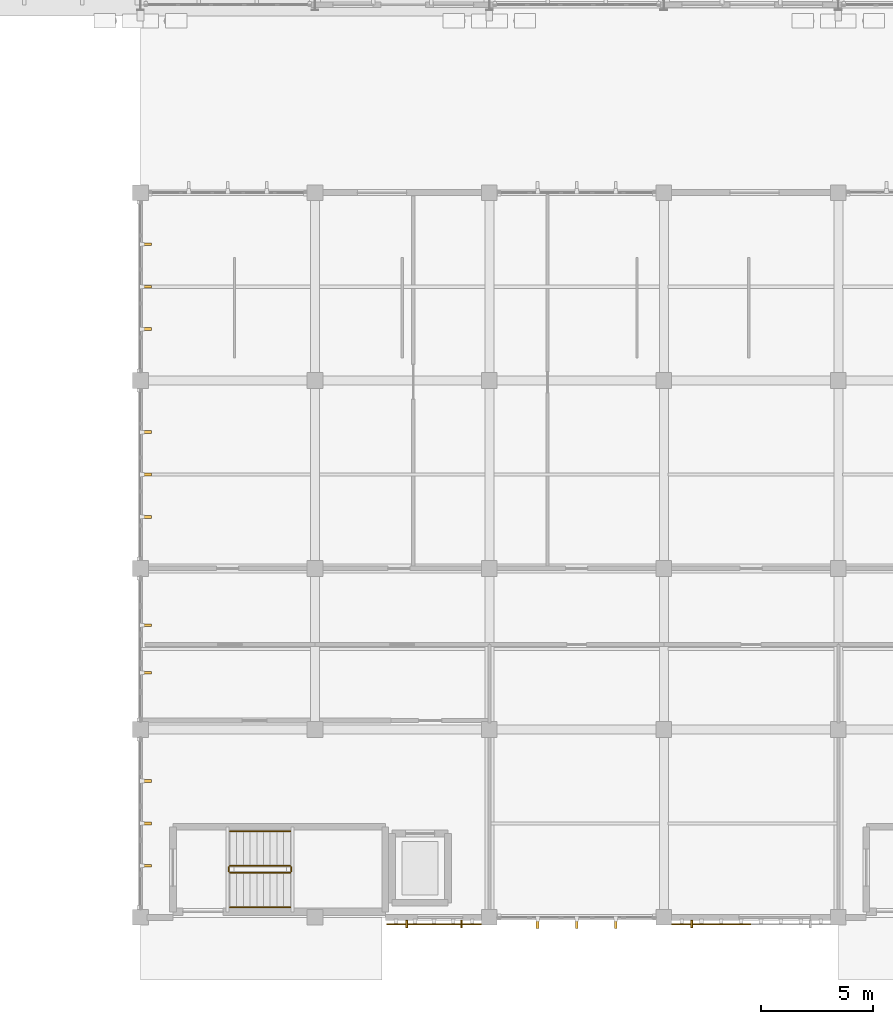
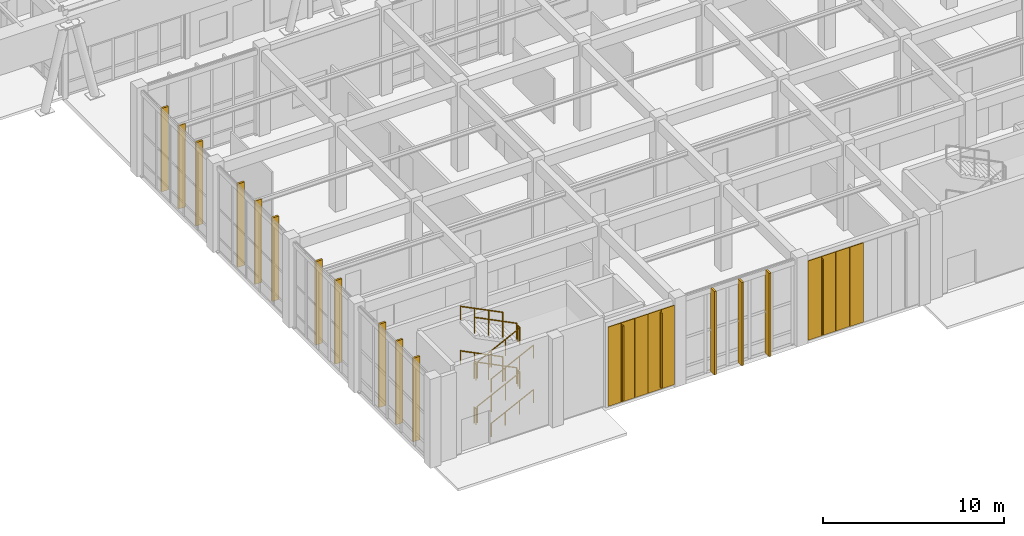
# One storey, part 94 of 110: 23 coverings, 12 railings, 3 shading devices.
"""IFC4 building model written with IfcOpenShell, lengths in metres."""

from ifc_helpers import new_model, si_unit, direction, frame, origin, origin_2d, place, context, subcontext, project, spatial, rectangle, circle, extrude, material, layer, layer_set, type_object, element, save


model = new_model("IFC4")

# Units and contexts
model_context = context("Model", 3, precision=1e-05, world=origin(), true_north=direction((0.0, 1.0)))
body_context = subcontext(model_context, "Body", "Model", "MODEL_VIEW")
ifc_project = project(units=[si_unit("LENGTHUNIT", "METRE"), si_unit("AREAUNIT", "SQUARE_METRE"), si_unit("VOLUMEUNIT", "CUBIC_METRE"), si_unit("PLANEANGLEUNIT", "RADIAN"), si_unit("MASSUNIT", "GRAM", prefix="KILO")], contexts=[model_context])

# Site, building, storey
site_placement = place(None, origin())
site = spatial("IfcSite", under=ifc_project, at=site_placement, CompositionType="ELEMENT")
building_placement = place(site_placement, origin())
building = spatial("IfcBuilding", under=site, at=building_placement, Name="Tizgana Railside Sports Hall", CompositionType="ELEMENT")
storey_placement = place(building_placement, origin())
storey = spatial("IfcBuildingStorey", under=building, at=storey_placement, Name="L00", CompositionType="ELEMENT", Elevation=0.0)

# Shading devices
ifc_material_1 = material(Name="Glulam GL28h", Category="wood")
shading_device_type = type_object("IfcShadingDeviceType", Name="Glulam Vertical Brise-Soleil Fin 320", PredefinedType="JALOUSIE", material=ifc_material_1)
for number, where, z_axis, x_axis, name in (
    (1, (22.14990234375, -0.2939453125, 0.35009765625), (0.0, 0.0, 1.0), (-1.0, 0.0, 0.0), "L00 Glulam Fin FIN-0017"),
    (2, (19.699951171875, -0.2939453125, 0.35009765625), (0.0, 0.0, 1.0), (-1.0, 0.0, 0.0), "L00 Glulam Fin FIN-0018"),
    (3, (32.449951171875, -0.2939453125, 0.35009765625), (0.0, 0.0, 1.0), (-1.0, 0.0, 0.0), "L00 Glulam Fin FIN-0020"),
):
    element("IfcShadingDevice", number, at=place(storey_placement, frame(where, z_axis=z_axis, x_axis=x_axis)), inside=storey, type_object=shading_device_type, Name=name, PredefinedType="JALOUSIE", context=body_context, shape_type="SweptSolid", body=[
        extrude(rectangle(XDim=0.080078125, YDim=0.320068359375, at=origin_2d()), origin(), (0.0, 0.0, 1.0), 5.050048828125),
    ])

# Coverings
ifc_layer_1 = layer(ifc_material_1, 0.139892578125, Name="Glulam GL28h")
ifc_layer_set_1 = layer_set([ifc_layer_1], Name="Glulam GL28h")
covering_type_1 = type_object("IfcCoveringType", Name="Mass-Timber Brise-Soleil & Pergola Fin", PredefinedType="CLADDING", material=ifc_layer_set_1)
for number, where, z_axis, x_axis, name in (
    (4, (29.047607421875, -0.280029296875, 0.0849609375), (0.0, 0.0, 1.0), (-1.0, 0.0, 0.0), "L00 Timber Brise-Soleil Fin"),
    (5, (27.300048828125, -0.280029296875, 0.0849609375), (0.0, 0.0, 1.0), (-1.0, 0.0, 0.0), "L00 Timber Brise-Soleil Fin"),
    (6, (25.552490234375, -0.280029296875, 0.0849609375), (0.0, 0.0, 1.0), (-1.0, 0.0, 0.0), "L00 Timber Brise-Soleil Fin"),
    (7, (8.080078125, 6.097412109375, 0.0849609375), (0.0, 0.0, 1.0), (0.0, -1.0, 0.0), "L00 Timber Brise-Soleil Fin"),
    (8, (8.080078125, 4.199951171875, 0.0849609375), (0.0, 0.0, 1.0), (0.0, -1.0, 0.0), "L00 Timber Brise-Soleil Fin"),
    (9, (8.080078125, 2.302490234375, 0.0849609375), (0.0, 0.0, 1.0), (0.0, -1.0, 0.0), "L00 Timber Brise-Soleil Fin"),
    (10, (8.080078125, 13.06494140625, 0.0849609375), (0.0, 0.0, 1.0), (0.0, -1.0, 0.0), "L00 Timber Brise-Soleil Fin"),
    (11, (8.080078125, 10.93505859375, 0.0849609375), (0.0, 0.0, 1.0), (0.0, -1.0, 0.0), "L00 Timber Brise-Soleil Fin"),
    (12, (8.080078125, 21.697509765625, 0.0849609375), (0.0, 0.0, 1.0), (0.0, -1.0, 0.0), "L00 Timber Brise-Soleil Fin"),
    (13, (8.080078125, 19.800048828125, 0.0849609375), (0.0, 0.0, 1.0), (0.0, -1.0, 0.0), "L00 Timber Brise-Soleil Fin"),
    (14, (8.080078125, 17.902587890625, 0.0849609375), (0.0, 0.0, 1.0), (0.0, -1.0, 0.0), "L00 Timber Brise-Soleil Fin"),
    (15, (8.080078125, 30.097412109375, 0.0849609375), (0.0, 0.0, 1.0), (0.0, -1.0, 0.0), "L00 Timber Brise-Soleil Fin"),
    (16, (8.080078125, 28.199951171875, 0.0849609375), (0.0, 0.0, 1.0), (0.0, -1.0, 0.0), "L00 Timber Brise-Soleil Fin"),
    (17, (8.080078125, 26.302490234375, 0.0849609375), (0.0, 0.0, 1.0), (0.0, -1.0, 0.0), "L00 Timber Brise-Soleil Fin"),
):
    element("IfcCovering", number, at=place(storey_placement, frame(where, z_axis=z_axis, x_axis=x_axis)), inside=storey, type_object=covering_type_1, Name=name, PredefinedType="CLADDING", context=body_context, shape_type="SweptSolid", body=[
        extrude(rectangle(XDim=0.1201171875, YDim=0.43994140625, at=origin_2d()), origin(), (0.0, 0.0, 1.0), 5.625),
    ])
ifc_material_2 = material(Name="Anodised perforated aluminium screen", Category="aluminium")
ifc_layer_2 = layer(ifc_material_2, 0.044921875, Name="Anodised perforated aluminium screen")
ifc_layer_set_2 = layer_set([ifc_layer_2], Name="Anodised perforated aluminium screen")
covering_type_2 = type_object("IfcCoveringType", Name="Perforated Aluminium Hall Screen 900", PredefinedType="CLADDING", material=ifc_layer_set_2)
for number, where, z_axis, x_axis, name in (
    (18, (22.625, -0.31494140625, 0.199951171875), (0.0, 0.0, 1.0), (-1.0, 0.0, 0.0), "L00 Perforated Screen SCR-0493"),
    (19, (21.77490234375, -0.31494140625, 0.199951171875), (0.0, 0.0, 1.0), (-1.0, 0.0, 0.0), "L00 Perforated Screen SCR-0494"),
    (20, (20.925048828125, -0.31494140625, 0.199951171875), (0.0, 0.0, 1.0), (-1.0, 0.0, 0.0), "L00 Perforated Screen SCR-0495"),
    (21, (20.074951171875, -0.31494140625, 0.199951171875), (0.0, 0.0, 1.0), (-1.0, 0.0, 0.0), "L00 Perforated Screen SCR-0496"),
    (22, (19.22509765625, -0.31494140625, 0.199951171875), (0.0, 0.0, 1.0), (-1.0, 0.0, 0.0), "L00 Perforated Screen SCR-0497"),
):
    element("IfcCovering", number, at=place(storey_placement, frame(where, z_axis=z_axis, x_axis=x_axis)), inside=storey, type_object=covering_type_2, Name=name, PredefinedType="CLADDING", context=body_context, shape_type="SweptSolid", body=[
        extrude(rectangle(XDim=0.83203125, YDim=0.044921875, at=origin_2d()), origin(), (0.0, 0.0, 1.0), 5.35009765625),
    ])
for number, where, z_axis, x_axis, name in (
    (23, (34.65625, -0.31494140625, 0.199951171875), (0.0, 0.0, 1.0), (-1.0, 0.0, 0.0), "L00 Perforated Screen SCR-0502"),
    (24, (33.768798828125, -0.31494140625, 0.199951171875), (0.0, 0.0, 1.0), (-1.0, 0.0, 0.0), "L00 Perforated Screen SCR-0503"),
    (25, (32.88134765625, -0.31494140625, 0.199951171875), (0.0, 0.0, 1.0), (-1.0, 0.0, 0.0), "L00 Perforated Screen SCR-0504"),
    (26, (31.99365234375, -0.31494140625, 0.199951171875), (0.0, 0.0, 1.0), (-1.0, 0.0, 0.0), "L00 Perforated Screen SCR-0505"),
):
    element("IfcCovering", number, at=place(storey_placement, frame(where, z_axis=z_axis, x_axis=x_axis)), inside=storey, type_object=covering_type_2, Name=name, PredefinedType="CLADDING", context=body_context, shape_type="SweptSolid", body=[
        extrude(rectangle(XDim=0.869384765625, YDim=0.044921875, at=origin_2d()), origin(), (0.0, 0.0, 1.0), 5.35009765625),
    ])

# Railings
ifc_material_3 = material(Name="Galvanised steel sheet", Category="steel")
railing_type_1 = type_object("IfcRailingType", Name="Safety Balustrade Guard 1100", PredefinedType="BALUSTRADE", material=ifc_material_3)
railing_1_placement = place(storey_placement, frame((11.800048828125, 2.0, 0.14990234375)))
element("IfcRailing", 27, at=railing_1_placement, inside=storey, type_object=railing_type_1, Name="L00 ST-01 stair guard 1", PredefinedType="BALUSTRADE", context=body_context, shape_type="SweptSolid", body=[
    extrude(circle(Radius=0.02392578125, at=origin_2d()), frame((0.0, 0.0, 1.076171875), z_axis=(0.894411015155, 0.0, 0.447245945728), x_axis=(0.0, 1.0, 0.0)), (0.0, 0.0, 1.0), 3.018798828125),
    extrude(circle(Radius=0.02099609375, at=origin_2d()), origin(), (0.0, 0.0, 1.0), 1.052001953125),
    extrude(circle(Radius=0.02099609375, at=origin_2d()), frame((0.89990234375, 0.0, 0.449951171875)), (0.0, 0.0, 1.0), 1.052001953125),
    extrude(circle(Radius=0.02099609375, at=origin_2d()), frame((1.800048828125, 0.0, 0.900146484375)), (0.0, 0.0, 1.0), 1.052001953125),
    extrude(circle(Radius=0.02099609375, at=origin_2d()), frame((2.699951171875, 0.0, 1.35009765625)), (0.0, 0.0, 1.0), 1.052001953125),
])
railing_2_placement = place(storey_placement, frame((14.550048828125, 2.050048828125, 1.5)))
element("IfcRailing", 28, at=railing_2_placement, inside=storey, type_object=railing_type_1, Name="L00 ST-01 stair guard 2", PredefinedType="BALUSTRADE", context=body_context, shape_type="SweptSolid", body=[
    extrude(circle(Radius=0.02392578125, at=origin_2d()), frame((0.0, 0.0, 1.076171875), z_axis=(0.0, 1.0, 0.0), x_axis=(-1.0, 0.0, 0.0)), (0.0, 0.0, 1.0), 0.199951171875),
    extrude(circle(Radius=0.02099609375, at=origin_2d()), origin(), (0.0, 0.0, 1.0), 1.052001953125),
    extrude(circle(Radius=0.02099609375, at=origin_2d()), frame((0.0, 0.199951171875, 0.0)), (0.0, 0.0, 1.0), 1.052001953125),
])
railing_3_placement = place(storey_placement, frame((14.5, 2.300048828125, 1.64990234375)))
element("IfcRailing", 29, at=railing_3_placement, inside=storey, type_object=railing_type_1, Name="L00 ST-01 stair guard 3", PredefinedType="BALUSTRADE", context=body_context, shape_type="SweptSolid", body=[
    extrude(circle(Radius=0.02392578125, at=origin_2d()), frame((0.0, 0.0, 1.076171875), z_axis=(-0.894411015155, 0.0, 0.447245945728), x_axis=(0.0, -1.0, 0.0)), (0.0, 0.0, 1.0), 3.018798828125),
    extrude(circle(Radius=0.02099609375, at=origin_2d()), origin(), (0.0, 0.0, 1.0), 1.052001953125),
    extrude(circle(Radius=0.02099609375, at=origin_2d()), frame((-0.89990234375, 0.0, 0.449951171875)), (0.0, 0.0, 1.0), 1.052001953125),
    extrude(circle(Radius=0.02099609375, at=origin_2d()), frame((-1.800048828125, 0.0, 0.900146484375)), (0.0, 0.0, 1.0), 1.052001953125),
    extrude(circle(Radius=0.02099609375, at=origin_2d()), frame((-2.699951171875, 0.0, 1.35009765625)), (0.0, 0.0, 1.0), 1.052001953125),
])
railing_4_placement = place(storey_placement, frame((11.75, 2.050048828125, 3.0)))
element("IfcRailing", 30, at=railing_4_placement, inside=storey, type_object=railing_type_1, Name="L00 ST-01 stair guard 4", PredefinedType="BALUSTRADE", context=body_context, shape_type="SweptSolid", body=[
    extrude(circle(Radius=0.02392578125, at=origin_2d()), frame((0.0, 0.0, 1.076171875), z_axis=(0.0, 1.0, 0.0), x_axis=(-1.0, 0.0, 0.0)), (0.0, 0.0, 1.0), 0.199951171875),
    extrude(circle(Radius=0.02099609375, at=origin_2d()), origin(), (0.0, 0.0, 1.0), 1.052001953125),
    extrude(circle(Radius=0.02099609375, at=origin_2d()), frame((0.0, 0.199951171875, 0.0)), (0.0, 0.0, 1.0), 1.052001953125),
])
railing_5_placement = place(storey_placement, frame((11.800048828125, 2.0, 3.14990234375)))
element("IfcRailing", 31, at=railing_5_placement, inside=storey, type_object=railing_type_1, Name="L00 ST-01 stair guard 5", PredefinedType="BALUSTRADE", context=body_context, shape_type="SweptSolid", body=[
    extrude(circle(Radius=0.02392578125, at=origin_2d()), frame((0.0, 0.0, 1.076171875), z_axis=(0.894411015155, 0.0, 0.447245945728), x_axis=(0.0, 1.0, 0.0)), (0.0, 0.0, 1.0), 3.018798828125),
    extrude(circle(Radius=0.02099609375, at=origin_2d()), origin(), (0.0, 0.0, 1.0), 1.052001953125),
    extrude(circle(Radius=0.02099609375, at=origin_2d()), frame((0.89990234375, 0.0, 0.449951171875)), (0.0, 0.0, 1.0), 1.052001953125),
    extrude(circle(Radius=0.02099609375, at=origin_2d()), frame((1.800048828125, 0.0, 0.900146484375)), (0.0, 0.0, 1.0), 1.052001953125),
    extrude(circle(Radius=0.02099609375, at=origin_2d()), frame((2.699951171875, 0.0, 1.35009765625)), (0.0, 0.0, 1.0), 1.052001953125),
])
railing_6_placement = place(storey_placement, frame((14.550048828125, 2.050048828125, 4.5)))
element("IfcRailing", 32, at=railing_6_placement, inside=storey, type_object=railing_type_1, Name="L00 ST-01 stair guard 6", PredefinedType="BALUSTRADE", context=body_context, shape_type="SweptSolid", body=[
    extrude(circle(Radius=0.02392578125, at=origin_2d()), frame((0.0, 0.0, 1.076171875), z_axis=(0.0, 1.0, 0.0), x_axis=(-1.0, 0.0, 0.0)), (0.0, 0.0, 1.0), 0.199951171875),
    extrude(circle(Radius=0.02099609375, at=origin_2d()), origin(), (0.0, 0.0, 1.0), 1.052001953125),
    extrude(circle(Radius=0.02099609375, at=origin_2d()), frame((0.0, 0.199951171875, 0.0)), (0.0, 0.0, 1.0), 1.052001953125),
])
railing_7_placement = place(storey_placement, frame((14.5, 2.300048828125, 4.64990234375)))
element("IfcRailing", 33, at=railing_7_placement, inside=storey, type_object=railing_type_1, Name="L00 ST-01 stair guard 7", PredefinedType="BALUSTRADE", context=body_context, shape_type="SweptSolid", body=[
    extrude(circle(Radius=0.02392578125, at=origin_2d()), frame((0.0, 0.0, 1.076171875), z_axis=(-0.894411015155, 0.0, 0.447245945728), x_axis=(0.0, -1.0, 0.0)), (0.0, 0.0, 1.0), 3.018798828125),
    extrude(circle(Radius=0.02099609375, at=origin_2d()), origin(), (0.0, 0.0, 1.0), 1.052001953125),
    extrude(circle(Radius=0.02099609375, at=origin_2d()), frame((-0.89990234375, 0.0, 0.449951171875)), (0.0, 0.0, 1.0), 1.052001953125),
    extrude(circle(Radius=0.02099609375, at=origin_2d()), frame((-1.800048828125, 0.0, 0.900146484375)), (0.0, 0.0, 1.0), 1.052001953125),
    extrude(circle(Radius=0.02099609375, at=origin_2d()), frame((-2.699951171875, 0.0, 1.35009765625)), (0.0, 0.0, 1.0), 1.052001953125),
])
railing_8_placement = place(storey_placement, frame((11.75, 2.050048828125, 0.0)))
element("IfcRailing", 34, at=railing_8_placement, inside=storey, type_object=railing_type_1, Name="L00 ST-01 stair guard 8", PredefinedType="BALUSTRADE", context=body_context, shape_type="SweptSolid", body=[
    extrude(circle(Radius=0.02392578125, at=origin_2d()), frame((0.0, 0.0, 1.076171875), z_axis=(0.0, 1.0, 0.0), x_axis=(-1.0, 0.0, 0.0)), (0.0, 0.0, 1.0), 0.199951171875),
    extrude(circle(Radius=0.02099609375, at=origin_2d()), origin(), (0.0, 0.0, 1.0), 1.052001953125),
    extrude(circle(Radius=0.02099609375, at=origin_2d()), frame((0.0, 0.199951171875, 0.0)), (0.0, 0.0, 1.0), 1.052001953125),
])
ifc_material_4 = material(Name="Brushed stainless steel", Category="steel")
railing_type_2 = type_object("IfcRailingType", Name="Stair & Ramp Wall Handrail 900", PredefinedType="HANDRAIL", material=ifc_material_4)
railing_9_placement = place(storey_placement, frame((11.800048828125, 0.449951171875, 0.14990234375)))
element("IfcRailing", 35, at=railing_9_placement, inside=storey, type_object=railing_type_2, Name="L00 ST-01 stair handrail 1", PredefinedType="HANDRAIL", context=body_context, shape_type="SweptSolid", body=[
    extrude(circle(Radius=0.02392578125, at=origin_2d()), frame((0.0, 0.0, 0.8759765625), z_axis=(0.894411015155, 0.0, 0.447245945728), x_axis=(0.0, 1.0, 0.0)), (0.0, 0.0, 1.0), 3.018798828125),
    extrude(circle(Radius=0.02099609375, at=origin_2d()), origin(), (0.0, 0.0, 1.0), 0.851806640625),
    extrude(circle(Radius=0.02099609375, at=origin_2d()), frame((0.89990234375, 0.0, 0.449951171875)), (0.0, 0.0, 1.0), 0.851806640625),
    extrude(circle(Radius=0.02099609375, at=origin_2d()), frame((1.800048828125, 0.0, 0.900146484375)), (0.0, 0.0, 1.0), 0.851806640625),
    extrude(circle(Radius=0.02099609375, at=origin_2d()), frame((2.699951171875, 0.0, 1.35009765625)), (0.0, 0.0, 1.0), 0.851806640625),
])
railing_10_placement = place(storey_placement, frame((14.5, 3.85009765625, 1.64990234375)))
element("IfcRailing", 36, at=railing_10_placement, inside=storey, type_object=railing_type_2, Name="L00 ST-01 stair handrail 2", PredefinedType="HANDRAIL", context=body_context, shape_type="SweptSolid", body=[
    extrude(circle(Radius=0.02392578125, at=origin_2d()), frame((0.0, 0.0, 0.8759765625), z_axis=(-0.894411015155, 0.0, 0.447245945728), x_axis=(0.0, -1.0, 0.0)), (0.0, 0.0, 1.0), 3.018798828125),
    extrude(circle(Radius=0.02099609375, at=origin_2d()), origin(), (0.0, 0.0, 1.0), 0.851806640625),
    extrude(circle(Radius=0.02099609375, at=origin_2d()), frame((-0.89990234375, 0.0, 0.449951171875)), (0.0, 0.0, 1.0), 0.851806640625),
    extrude(circle(Radius=0.02099609375, at=origin_2d()), frame((-1.800048828125, 0.0, 0.900146484375)), (0.0, 0.0, 1.0), 0.851806640625),
    extrude(circle(Radius=0.02099609375, at=origin_2d()), frame((-2.699951171875, 0.0, 1.35009765625)), (0.0, 0.0, 1.0), 0.851806640625),
])
railing_11_placement = place(storey_placement, frame((11.800048828125, 0.449951171875, 3.14990234375)))
element("IfcRailing", 37, at=railing_11_placement, inside=storey, type_object=railing_type_2, Name="L00 ST-01 stair handrail 3", PredefinedType="HANDRAIL", context=body_context, shape_type="SweptSolid", body=[
    extrude(circle(Radius=0.02392578125, at=origin_2d()), frame((0.0, 0.0, 0.8759765625), z_axis=(0.894411015155, 0.0, 0.447245945728), x_axis=(0.0, 1.0, 0.0)), (0.0, 0.0, 1.0), 3.018798828125),
    extrude(circle(Radius=0.02099609375, at=origin_2d()), origin(), (0.0, 0.0, 1.0), 0.851806640625),
    extrude(circle(Radius=0.02099609375, at=origin_2d()), frame((0.89990234375, 0.0, 0.449951171875)), (0.0, 0.0, 1.0), 0.851806640625),
    extrude(circle(Radius=0.02099609375, at=origin_2d()), frame((1.800048828125, 0.0, 0.900146484375)), (0.0, 0.0, 1.0), 0.851806640625),
    extrude(circle(Radius=0.02099609375, at=origin_2d()), frame((2.699951171875, 0.0, 1.35009765625)), (0.0, 0.0, 1.0), 0.851806640625),
])
railing_12_placement = place(storey_placement, frame((14.5, 3.85009765625, 4.64990234375)))
element("IfcRailing", 38, at=railing_12_placement, inside=storey, type_object=railing_type_2, Name="L00 ST-01 stair handrail 4", PredefinedType="HANDRAIL", context=body_context, shape_type="SweptSolid", body=[
    extrude(circle(Radius=0.02392578125, at=origin_2d()), frame((0.0, 0.0, 0.8759765625), z_axis=(-0.894411015155, 0.0, 0.447245945728), x_axis=(0.0, -1.0, 0.0)), (0.0, 0.0, 1.0), 3.018798828125),
    extrude(circle(Radius=0.02099609375, at=origin_2d()), origin(), (0.0, 0.0, 1.0), 0.851806640625),
    extrude(circle(Radius=0.02099609375, at=origin_2d()), frame((-0.89990234375, 0.0, 0.449951171875)), (0.0, 0.0, 1.0), 0.851806640625),
    extrude(circle(Radius=0.02099609375, at=origin_2d()), frame((-1.800048828125, 0.0, 0.900146484375)), (0.0, 0.0, 1.0), 0.851806640625),
    extrude(circle(Radius=0.02099609375, at=origin_2d()), frame((-2.699951171875, 0.0, 1.35009765625)), (0.0, 0.0, 1.0), 0.851806640625),
])

save(model, "model.ifc")
